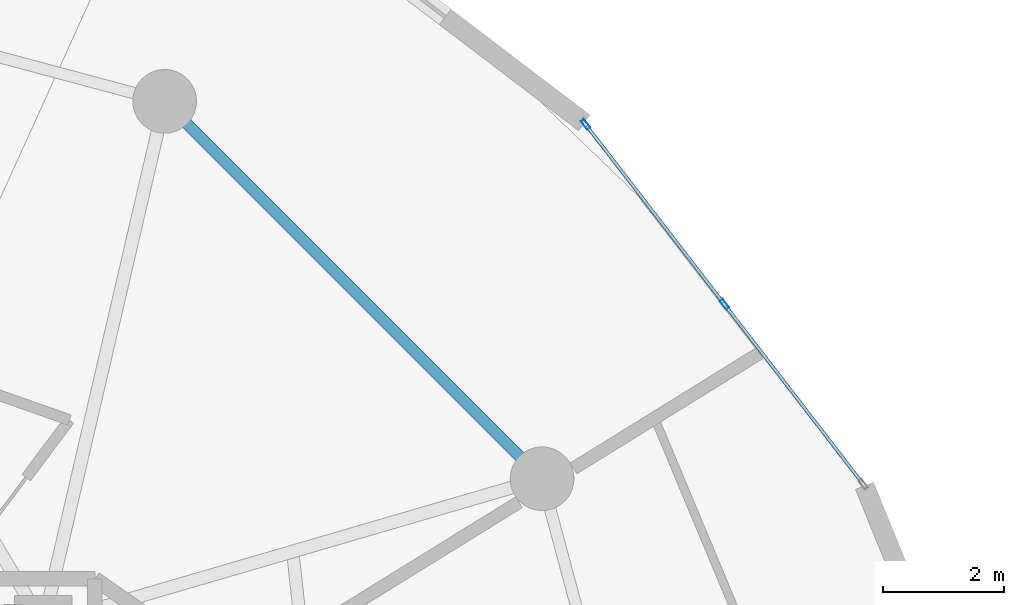
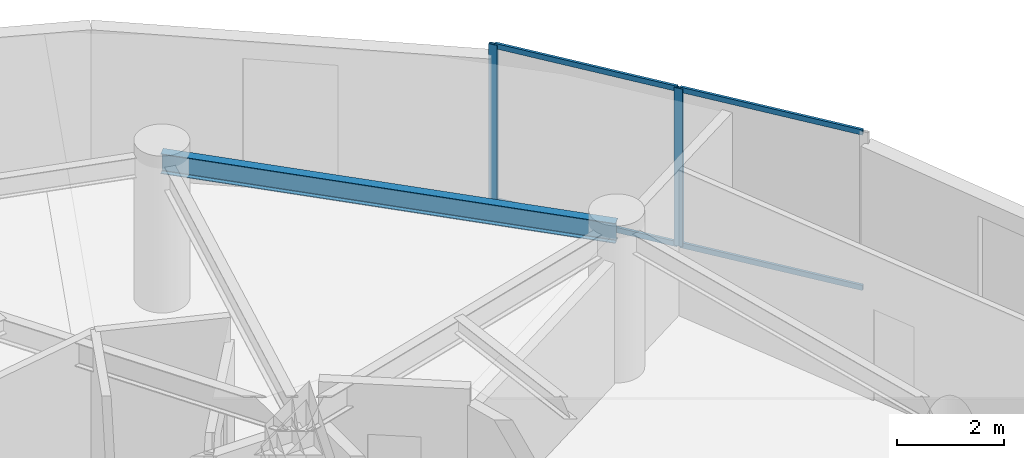
# One storey, part 16 of 22: 6 members, 1 beam, 1 element without a shape of its own.
"""IFC4 building model written with IfcOpenShell, lengths in metres."""

import ifcopenshell
import ifcopenshell.guid

model = None  # the IFC model being written
_history = None  # IfcOwnerHistory: only IFC2X3 demands one
_inside = {}  # id of a spatial element -> (the spatial element, [elements in it])
_under = {}  # id of a project, library or spatial element -> (it, [spatial elements below it])
_declared = {}  # id of a project -> (the project, [libraries it declares])
_typed = {}  # id of a type object -> (the type object, [elements of that type])
_made_of = {}  # id of a material, layer set ... -> (it, [elements and type objects made of it])


def new_model(schema):
    """Start an empty IFC model of exactly this schema.

    Asked for "IFC4X3", IfcOpenShell would pick the latest addendum, in which some entities
    have other attributes; the version numbers below select the first issue.
    IFC2X3 requires an IfcOwnerHistory on every rooted entity: one is made here for all.
    """
    global model, _history
    if schema == "IFC4X3":
        model = ifcopenshell.file(schema_version=(4, 3, 0, 0))
    else:
        model = ifcopenshell.file(schema=schema)
    _inside.clear()
    _under.clear()
    _declared.clear()
    _typed.clear()
    _made_of.clear()
    _history = None
    if model.schema == "IFC2X3":
        org = make("IfcOrganization", Name="unknown")
        user = make(
            "IfcPersonAndOrganization",
            ThePerson=make("IfcPerson", FamilyName="unknown"),
            TheOrganization=org,
        )
        app = make(
            "IfcApplication",
            ApplicationDeveloper=org,
            Version="unknown",
            ApplicationFullName="unknown",
            ApplicationIdentifier="unknown",
        )
        _history = make(
            "IfcOwnerHistory",
            OwningUser=user,
            OwningApplication=app,
            ChangeAction="ADDED",
            CreationDate=0,
        )
    return model


def make(cls, **values):
    """One entity of the class cls with the attributes given. An attribute that is None is left unset."""
    return model.create_entity(
        cls, **{name: value for name, value in values.items() if value is not None}
    )


def rooted(cls, **values):
    """An entity with a GlobalId (a new one), such as an element, a storey or a relation."""
    return make(cls, GlobalId=ifcopenshell.guid.new(), OwnerHistory=_history, **values)


def si_unit(unit_type, name, prefix=None):
    """IfcSIUnit, for example si_unit("LENGTHUNIT", "METRE", prefix="MILLI")."""
    return make("IfcSIUnit", UnitType=unit_type, Prefix=prefix, Name=name)


def assignment(units):
    """IfcUnitAssignment: the units of a project."""
    return None if units is None else make("IfcUnitAssignment", Units=units)


def point(xyz):
    """IfcCartesianPoint."""
    return None if xyz is None else make("IfcCartesianPoint", Coordinates=xyz)


def direction(xyz):
    """IfcDirection."""
    return None if xyz is None else make("IfcDirection", DirectionRatios=xyz)


def frame(location, z_axis=None, x_axis=None):
    """IfcAxis2Placement3D, a coordinate frame: its origin and axes. An axis left out is left unset."""
    return make(
        "IfcAxis2Placement3D",
        Location=point(location),
        Axis=direction(z_axis),
        RefDirection=direction(x_axis),
    )


def frame_2d(location, x_axis=None):
    """IfcAxis2Placement2D, a coordinate frame in the plane: its origin and x axis."""
    return make(
        "IfcAxis2Placement2D", Location=point(location), RefDirection=direction(x_axis)
    )


def origin():
    """The frame at (0, 0, 0) with its axes left unset."""
    return frame((0.0, 0.0, 0.0))


def origin_2d():
    """The frame at (0, 0) in the plane with its x axis left unset."""
    return frame_2d((0.0, 0.0))


def place(relative_to, where):
    """IfcLocalPlacement: puts the frame where relative to a parent placement (None: the world)."""
    return make(
        "IfcLocalPlacement", PlacementRelTo=relative_to, RelativePlacement=where
    )


def context(
    kind, dimensions, precision=None, world=None, true_north=None, identifier=None
):
    """IfcGeometricRepresentationContext, for example the 3D "Model" context."""
    return make(
        "IfcGeometricRepresentationContext",
        ContextIdentifier=identifier,
        ContextType=kind,
        CoordinateSpaceDimension=dimensions,
        Precision=precision,
        WorldCoordinateSystem=world,
        TrueNorth=true_north,
    )


def subcontext(parent, identifier, kind, view, scale=None):
    """IfcGeometricRepresentationSubContext, for example "Body" below "Model"."""
    return make(
        "IfcGeometricRepresentationSubContext",
        ContextIdentifier=identifier,
        ContextType=kind,
        ParentContext=parent,
        TargetScale=scale,
        TargetView=view,
    )


def project(units=None, contexts=None):
    """IfcProject with its units and contexts."""
    return rooted(
        "IfcProject",
        Name="project",
        RepresentationContexts=contexts,
        UnitsInContext=assignment(units),
    )


def spatial(cls, under=None, at=None, **own):
    """A site, building, storey or space (cls), placed at a placement, below another one or the project."""
    s = rooted(cls, ObjectPlacement=at, **own)
    if under is not None:
        _under.setdefault(under.id(), (under, []))[1].append(s)
    return s


def profile(cls, at=None, kind="AREA", **sizes):
    """A parametric profile (cls). Its sizes go by their IFC names, for example OverallWidth=200.0."""
    return make(cls, ProfileType=kind, Position=at, **sizes)


def hollow_rectangle(**sizes):
    """IfcRectangleHollowProfileDef."""
    return profile("IfcRectangleHollowProfileDef", **sizes)


def i_section(**sizes):
    """IfcIShapeProfileDef."""
    return profile("IfcIShapeProfileDef", **sizes)


def extrude(swept, where, along, depth):
    """IfcExtrudedAreaSolid: the profile swept, set in the frame where, extruded along a direction by depth."""
    return make(
        "IfcExtrudedAreaSolid",
        SweptArea=swept,
        Position=where,
        ExtrudedDirection=direction(along),
        Depth=depth,
    )


def shape(context_of_items, identifier, shape_type, items):
    """IfcShapeRepresentation: the items that make up one representation, for example the "Body"."""
    return make(
        "IfcShapeRepresentation",
        ContextOfItems=context_of_items,
        RepresentationIdentifier=identifier,
        RepresentationType=shape_type,
        Items=items,
    )


def source(mapping_origin, context_of_items, identifier, shape_type, items):
    """IfcRepresentationMap: a shape defined once, which mapped items show again and again."""
    return make(
        "IfcRepresentationMap",
        MappingOrigin=mapping_origin,
        MappedRepresentation=shape(context_of_items, identifier, shape_type, items),
    )


def transform(
    local_origin,
    x_axis=None,
    y_axis=None,
    z_axis=None,
    scale=None,
    scale2=None,
    scale3=None,
    uniform=True,
):
    """IfcCartesianTransformationOperator3D, or its non-uniform kind. x_axis, y_axis, z_axis: its Axis1, 2, 3."""
    if uniform:
        return make(
            "IfcCartesianTransformationOperator3D",
            Axis1=direction(x_axis),
            Axis2=direction(y_axis),
            LocalOrigin=point(local_origin),
            Scale=scale,
            Axis3=direction(z_axis),
        )
    return make(
        "IfcCartesianTransformationOperator3DnonUniform",
        Axis1=direction(x_axis),
        Axis2=direction(y_axis),
        LocalOrigin=point(local_origin),
        Scale=scale,
        Axis3=direction(z_axis),
        Scale2=scale2,
        Scale3=scale3,
    )


def mapped(mapping_source, mapping_target):
    """IfcMappedItem: shows the shape of a source again, moved by a transform."""
    return make(
        "IfcMappedItem", MappingSource=mapping_source, MappingTarget=mapping_target
    )


def material(Name=None, Category=None):
    """IfcMaterial."""
    return make("IfcMaterial", Name=Name, Category=Category)


def layer(
    of_material, thickness, ventilated=None, Name=None, Category=None, Priority=None
):
    """IfcMaterialLayer: one layer of a wall or slab, of a material (None: an air gap)."""
    return make(
        "IfcMaterialLayer",
        Material=of_material,
        LayerThickness=thickness,
        IsVentilated=ventilated,
        Name=Name,
        Category=Category,
        Priority=Priority,
    )


def layer_set(layers, Name=None):
    """IfcMaterialLayerSet."""
    return make("IfcMaterialLayerSet", MaterialLayers=layers, LayerSetName=Name)


def material_profile(
    of_material, cross_section, Name=None, Category=None, Priority=None
):
    """IfcMaterialProfile: a cross section and its material."""
    return make(
        "IfcMaterialProfile",
        Name=Name,
        Material=of_material,
        Profile=cross_section,
        Priority=Priority,
        Category=Category,
    )


def profile_set(profiles, Name=None, composite=None):
    """IfcMaterialProfileSet."""
    return make(
        "IfcMaterialProfileSet",
        Name=Name,
        MaterialProfiles=profiles,
        CompositeProfile=composite,
    )


def made_of(thing, what):
    """Note that an element or type object is made of a material, layer set ...; save() writes the relation."""
    if what is not None:
        _made_of.setdefault(what.id(), (what, []))[1].append(thing)
    return thing


def type_object(cls, material=None, **own):
    """A type object (cls), such as IfcWallType, which elements share."""
    return made_of(rooted(cls, **own), material)


def element(
    cls,
    number,
    at=None,
    inside=None,
    cuts=None,
    type_object=None,
    material=None,
    context=None,
    identifier="Body",
    shape_type=None,
    held_by="IfcProductDefinitionShape",
    body=None,
    shapes=None,
    **own,
):
    """One element of the class cls, such as IfcWall. Its Tag is "e" and its number.

    at: its placement. inside: the storey or other place that contains it. cuts: it is an
    opening in that element (IfcRelVoidsElement). A single representation is given by context,
    identifier, shape_type and body (its items); several are given by shapes. held_by: the class
    of the entity that holds the representations. save() writes the other relations.
    """
    e = rooted(cls, Tag="e%d" % number, ObjectPlacement=at, **own)
    if body is not None:
        shapes = [shape(context, identifier, shape_type, body)]
    if shapes is not None:
        e.Representation = make(held_by, Representations=shapes)
    if inside is not None:
        _inside.setdefault(inside.id(), (inside, []))[1].append(e)
    if cuts is not None:
        rooted(
            "IfcRelVoidsElement", RelatingBuildingElement=cuts, RelatedOpeningElement=e
        )
    if type_object is not None:
        _typed.setdefault(type_object.id(), (type_object, []))[1].append(e)
    return made_of(e, material)


def aggregate(whole, parts):
    """IfcRelAggregates: a whole, such as a stair, and the parts it consists of."""
    return rooted("IfcRelAggregates", RelatingObject=whole, RelatedObjects=parts)


def save(model, path):
    """Write the relations noted so far, then the file.

    IfcRelAggregates (storeys below a building ...), IfcRelContainedInSpatialStructure (elements
    in a storey), IfcRelDefinesByType, IfcRelAssociatesMaterial and IfcRelDeclares: one each for
    every whole, place, type object, material and project.
    """
    for whole, parts in _under.values():
        aggregate(whole, parts)
    for where, things in _inside.values():
        rooted(
            "IfcRelContainedInSpatialStructure",
            RelatedElements=things,
            RelatingStructure=where,
        )
    for kind, things in _typed.values():
        rooted("IfcRelDefinesByType", RelatedObjects=things, RelatingType=kind)
    for what, things in _made_of.values():
        rooted("IfcRelAssociatesMaterial", RelatedObjects=things, RelatingMaterial=what)
    for by, libraries in _declared.values():
        rooted("IfcRelDeclares", RelatingContext=by, RelatedDefinitions=libraries)
    model.write(path)


model = new_model("IFC4")

# Units and contexts
model_context = context("Model", 3, precision=1e-05, world=origin(), true_north=direction((0.0, 1.0)))
body_context = subcontext(model_context, "Body", "Model", "MODEL_VIEW")
ifc_project = project(units=[si_unit("LENGTHUNIT", "METRE"), si_unit("AREAUNIT", "SQUARE_METRE"), si_unit("VOLUMEUNIT", "CUBIC_METRE"), si_unit("PLANEANGLEUNIT", "RADIAN"), si_unit("MASSUNIT", "GRAM", prefix="KILO")], contexts=[model_context])

# Site, building, storey
site_placement = place(None, origin())
site = spatial("IfcSite", under=ifc_project, at=site_placement, CompositionType="ELEMENT")
building_placement = place(site_placement, origin())
building = spatial("IfcBuilding", under=site, at=building_placement, Name="Solvirekh Grand Hotel", CompositionType="ELEMENT")
storey_placement = place(building_placement, frame((0.0, 0.0, 145.800048828125)))
storey = spatial("IfcBuildingStorey", under=building, at=storey_placement, Name="L37", CompositionType="ELEMENT", Elevation=145.800048828125)

# Beam
ifc_material_1 = material(Name="Steel S355", Category="steel")
ifc_material_profile_1 = material_profile(ifc_material_1, i_section(OverallWidth=0.18994140625, OverallDepth=0.45703125, WebThickness=0.009033203125, FlangeThickness=0.013916015625, FilletRadius=0.012939453125, at=origin_2d()), Name="W460X74")
ifc_profile_set_1 = profile_set([ifc_material_profile_1], Name="Steel S355")
beam_type = type_object("IfcBeamType", Name="Spandrel_Ring_W460", PredefinedType="SPANDREL", material=ifc_profile_set_1)
beam_placement = place(storey_placement, frame((14.721923828125, 8.5, 3.1220703125), z_axis=(-0.707106781187, 0.707106781187, 0.0), x_axis=(-0.707106781187, -0.707106781187, 0.0)))
element("IfcBeam", 1, at=beam_placement, inside=storey, type_object=beam_type, Name="L37 perimeter spandrel beam 2", PredefinedType="SPANDREL", context=body_context, shape_type="SweptSolid", body=[
    extrude(i_section(OverallWidth=0.18994140625, OverallDepth=0.45703125, WebThickness=0.009033203125, FlangeThickness=0.013916015625, FilletRadius=0.012939453125, at=origin_2d()), origin(), (0.0, 0.0, 1.0), 8.799072265625),
])

# Curtain wall, members
ifc_material_2 = material(Name="Anodized Bronze Aluminium 6063-T6", Category="aluminium")
ifc_layer = layer(ifc_material_2, 0.175048828125)
ifc_layer_set = layer_set([ifc_layer], Name="Anodized Bronze Aluminium 6063-T6")
curtain_wall_type = type_object("IfcCurtainWallType", Name="CW_Sys3_MidZoneFlushBronzeCW", PredefinedType="NOTDEFINED", material=ifc_layer_set)
curtain_wall_placement = place(storey_placement, origin())
curtain_wall = element("IfcCurtainWall", 2, at=curtain_wall_placement, inside=storey, type_object=curtain_wall_type, Name="L37 unitised bronze-glass curtain wall CW-L37-C05", PredefinedType="NOTDEFINED")
ifc_material_profile_2 = material_profile(ifc_material_2, hollow_rectangle(XDim=0.06494140625, YDim=0.175048828125, WallThickness=0.0048828125, at=origin_2d()), Name="ALU RHS 175X65X5")
ifc_profile_set_2 = profile_set([ifc_material_profile_2], Name="Anodized Bronze Aluminium 6063-T6")
member_type_1 = type_object("IfcMemberType", Name="CWMullion_Sys3", PredefinedType="MULLION", material=ifc_profile_set_2)
shared_shape_1 = source(origin(), body_context, "Body", "SweptSolid", [
    extrude(hollow_rectangle(XDim=0.06494140625, YDim=0.175048828125, WallThickness=0.0048828125, at=origin_2d()), origin(), (0.0, 0.0, 1.0), 3.599853515625),
])
member_1_placement = place(storey_placement, frame((17.728515625, 11.376953125, 0.0), z_axis=(0.0, 0.0, 1.0), x_axis=(-0.791604914405, -0.611033271999, 0.0)))
member_1 = element("IfcMember", 3, at=member_1_placement, type_object=member_type_1, Name="U03 mullion 2", PredefinedType="MULLION", context=body_context, shape_type="MappedRepresentation", body=[
    mapped(shared_shape_1, transform((0.0, 0.0, 0.0), x_axis=(1.0, 0.0, 0.0), y_axis=(0.0, 1.0, 0.0), z_axis=(0.0, 0.0, 1.0), scale=1.0)),
])
member_2_placement = place(storey_placement, frame((15.43896484375, 14.34326171875, 0.0), z_axis=(0.0, 0.0, 1.0), x_axis=(-0.791604914405, -0.611033271999, 0.0)))
member_2 = element("IfcMember", 4, at=member_2_placement, type_object=member_type_1, Name="U03 mullion 3", PredefinedType="MULLION", context=body_context, shape_type="MappedRepresentation", body=[
    mapped(shared_shape_1, transform((0.0, 0.0, 0.0), x_axis=(1.0, 0.0, 0.0), y_axis=(0.0, 1.0, 0.0), z_axis=(0.0, 0.0, 1.0), scale=1.0)),
])
ifc_material_profile_3 = material_profile(ifc_material_2, hollow_rectangle(XDim=0.054931640625, YDim=0.1201171875, WallThickness=0.00390625, at=origin_2d()), Name="ALU RHS 120X55X4")
ifc_profile_set_3 = profile_set([ifc_material_profile_3], Name="Anodized Bronze Aluminium 6063-T6")
member_type_2 = type_object("IfcMemberType", Name="CWTransom_Sys3", PredefinedType="USERDEFINED", material=ifc_profile_set_3)
shared_shape_2 = source(origin(), body_context, "Body", "SweptSolid", [
    extrude(hollow_rectangle(XDim=0.054931640625, YDim=0.1201171875, WallThickness=0.00390625, at=origin_2d()), origin(), (0.0, 0.0, 1.0), 3.68212890625),
])
member_3_placement = place(storey_placement, frame((19.998291015625, 8.4365234375, 0.02734375), z_axis=(-0.611049262044, 0.791592571564, 0.0), x_axis=(-0.791592571564, -0.611049262044, 0.0)))
member_3 = element("IfcMember", 5, at=member_3_placement, type_object=member_type_2, Name="U03 transom 1.1", ObjectType="TRANSOM", PredefinedType="USERDEFINED", context=body_context, shape_type="MappedRepresentation", body=[
    mapped(shared_shape_2, transform((0.0, 0.0, 0.0), x_axis=(1.0, 0.0, 0.0), y_axis=(0.0, 1.0, 0.0), z_axis=(0.0, 0.0, 1.0), scale=1.0)),
])
member_4_placement = place(storey_placement, frame((19.998291015625, 8.4365234375, 3.572509765625), z_axis=(-0.611049262044, 0.791592571564, 0.0), x_axis=(-0.791592571564, -0.611049262044, 0.0)))
member_4 = element("IfcMember", 6, at=member_4_placement, type_object=member_type_2, Name="U03 transom 1.2", ObjectType="TRANSOM", PredefinedType="USERDEFINED", context=body_context, shape_type="MappedRepresentation", body=[
    mapped(shared_shape_2, transform((0.0, 0.0, 0.0), x_axis=(1.0, 0.0, 0.0), y_axis=(0.0, 1.0, 0.0), z_axis=(0.0, 0.0, 1.0), scale=1.0)),
])
member_5_placement = place(storey_placement, frame((17.708740234375, 11.40283203125, 0.02734375), z_axis=(-0.611049262044, 0.791592571564, 0.0), x_axis=(-0.791592571564, -0.611049262044, 0.0)))
member_5 = element("IfcMember", 7, at=member_5_placement, type_object=member_type_2, Name="U03 transom 2.1", ObjectType="TRANSOM", PredefinedType="USERDEFINED", context=body_context, shape_type="MappedRepresentation", body=[
    mapped(shared_shape_2, transform((0.0, 0.0, 0.0), x_axis=(1.0, 0.0, 0.0), y_axis=(0.0, 1.0, 0.0), z_axis=(0.0, 0.0, 1.0), scale=1.0)),
])
member_6_placement = place(storey_placement, frame((17.708740234375, 11.40283203125, 3.572509765625), z_axis=(-0.611049262044, 0.791592571564, 0.0), x_axis=(-0.791592571564, -0.611049262044, 0.0)))
member_6 = element("IfcMember", 8, at=member_6_placement, type_object=member_type_2, Name="U03 transom 2.2", ObjectType="TRANSOM", PredefinedType="USERDEFINED", context=body_context, shape_type="MappedRepresentation", body=[
    mapped(shared_shape_2, transform((0.0, 0.0, 0.0), x_axis=(1.0, 0.0, 0.0), y_axis=(0.0, 1.0, 0.0), z_axis=(0.0, 0.0, 1.0), scale=1.0)),
])
aggregate(curtain_wall, [member_1, member_2, member_3, member_4, member_5, member_6])

save(model, "model.ifc")
